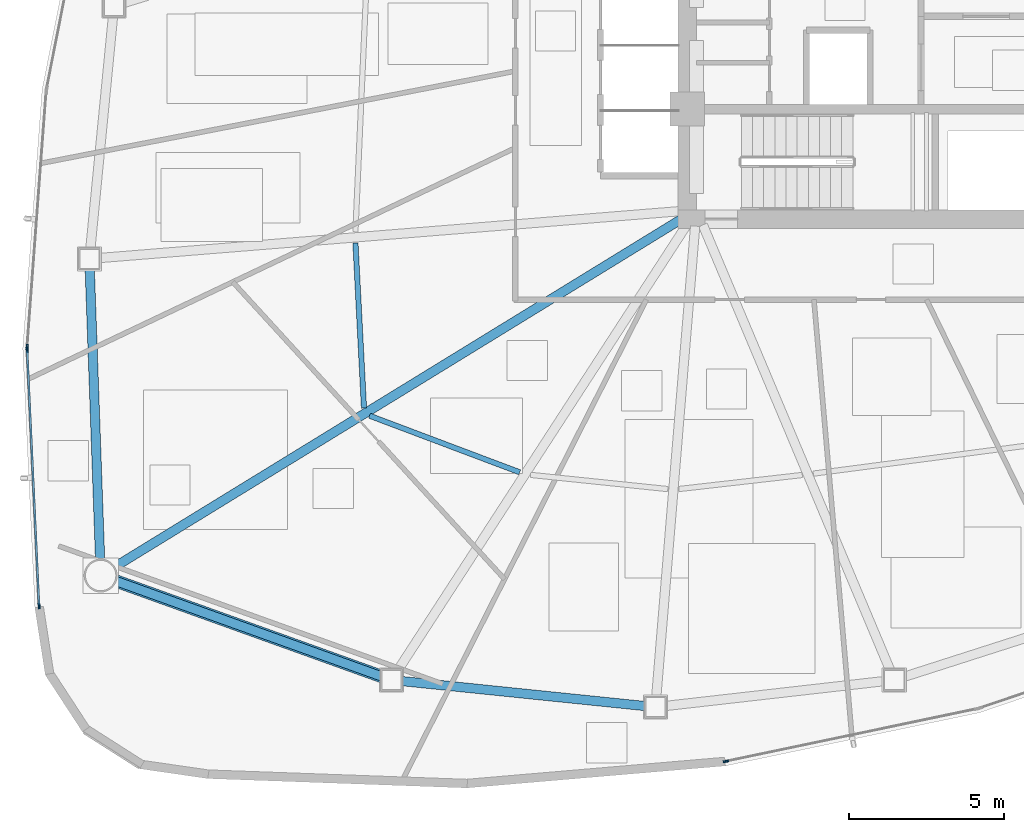
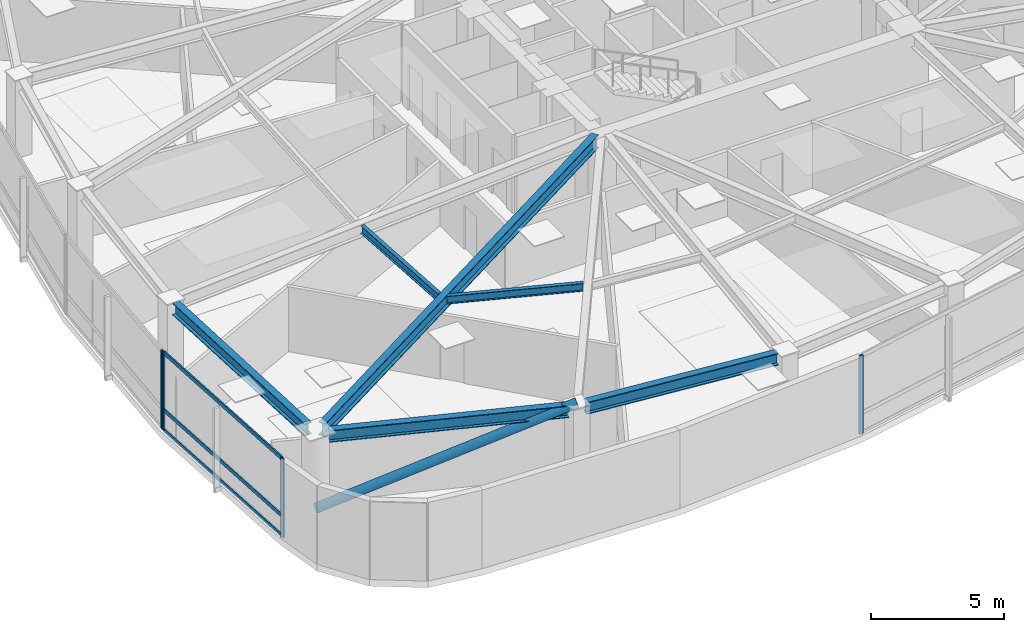
# One storey, part 2 of 17: 8 members, 6 beams, 3 elements without a shape of their own.
"""IFC4 building model written with IfcOpenShell, lengths in metres."""

from ifc_helpers import new_model, si_unit, direction, frame, origin, origin_2d, place, context, subcontext, project, spatial, hollow_rectangle, hollow_circle, i_section, extrude, source, transform, mapped, material, layer, layer_set, material_profile, profile_set, type_object, type_shapes, element, aggregate, save


model = new_model("IFC4")

# Units and contexts
model_context = context("Model", 3, precision=1e-05, world=origin(), true_north=direction((0.0, 1.0)))
body_context = subcontext(model_context, "Body", "Model", "MODEL_VIEW")
ifc_project = project(units=[si_unit("LENGTHUNIT", "METRE"), si_unit("AREAUNIT", "SQUARE_METRE"), si_unit("VOLUMEUNIT", "CUBIC_METRE"), si_unit("PLANEANGLEUNIT", "RADIAN"), si_unit("MASSUNIT", "GRAM", prefix="KILO")], contexts=[model_context])

# Site, building, storey
site_placement = place(None, origin())
site = spatial("IfcSite", under=ifc_project, at=site_placement, CompositionType="ELEMENT")
building_placement = place(site_placement, origin())
building = spatial("IfcBuilding", under=site, at=building_placement, Name="Tavelor Broadcast Tower", CompositionType="ELEMENT")
storey_placement = place(building_placement, frame((0.0, 0.0, 90.0)))
storey = spatial("IfcBuildingStorey", under=building, at=storey_placement, Name="L21", CompositionType="ELEMENT", Elevation=90.0)

# Beams
ifc_material_1 = material(Name="Steel S355", Category="steel")
ifc_material_profile_1 = material_profile(ifc_material_1, i_section(OverallWidth=0.169921875, OverallDepth=0.360107421875, WebThickness=0.008056640625, FlangeThickness=0.0126953125, at=origin_2d()), Name="IPE 360")
ifc_profile_set_1 = profile_set([ifc_material_profile_1], Name="Steel S355")
beam_type_1 = type_object("IfcBeamType", Name="Composite Floor Joist T2 IPE 360", PredefinedType="JOIST", material=ifc_profile_set_1)
beam_1_placement = place(storey_placement, frame((32.386474609375, 37.72900390625, 3.419921875), z_axis=(0.051611065527, -0.998667260861, 0.0), x_axis=(0.998667260861, 0.051611065527, 0.0)))
element("IfcBeam", 1, at=beam_1_placement, inside=storey, type_object=beam_type_1, Name="L21 Secondary Composite Floor Joist 06", PredefinedType="JOIST", context=body_context, shape_type="SweptSolid", body=[
    extrude(i_section(OverallWidth=0.169921875, OverallDepth=0.360107421875, WebThickness=0.008056640625, FlangeThickness=0.0126953125, at=origin_2d()), origin(), (0.0, 0.0, 1.0), 5.340576171875),
])
beam_2_placement = place(storey_placement, frame((32.8408203125, 32.15087890625, 3.419921875), z_axis=(0.935788002818, -0.352563205371, 0.0), x_axis=(0.352563205371, 0.935788002818, 0.0)))
element("IfcBeam", 2, at=beam_2_placement, inside=storey, type_object=beam_type_1, Name="L21 Secondary Composite Floor Joist 07", PredefinedType="JOIST", context=body_context, shape_type="SweptSolid", body=[
    extrude(i_section(OverallWidth=0.169921875, OverallDepth=0.360107421875, WebThickness=0.008056640625, FlangeThickness=0.0126953125, at=origin_2d()), origin(), (0.0, 0.0, 1.0), 5.18310546875),
])
ifc_material_profile_2 = material_profile(ifc_material_1, i_section(OverallWidth=0.300048828125, OverallDepth=0.550048828125, WebThickness=0.014892578125, FlangeThickness=0.029052734375, at=origin_2d()), Name="HEB 550")
ifc_profile_set_2 = profile_set([ifc_material_profile_2], Name="Steel S355")
beam_type_2 = type_object("IfcBeamType", Name="Perimeter Spandrel Beam T2 HEB 550", PredefinedType="SPANDREL", material=ifc_profile_set_2)
beam_3_placement = place(storey_placement, frame((23.806640625, 36.880615234375, 3.324951171875), z_axis=(0.035613586899, -0.999365635005, 0.0), x_axis=(0.999365635005, 0.035613586899, 0.0)))
element("IfcBeam", 3, at=beam_3_placement, inside=storey, type_object=beam_type_2, Name="L21 Framed-Tube Ring Spandrel 06", PredefinedType="SPANDREL", context=body_context, shape_type="SweptSolid", body=[
    extrude(i_section(OverallWidth=0.300048828125, OverallDepth=0.550048828125, WebThickness=0.014892578125, FlangeThickness=0.029052734375, at=origin_2d()), origin(), (0.0, 0.0, 1.0), 9.384765625),
])
beam_4_placement = place(storey_placement, frame((24.64111328125, 26.81640625, 3.324951171875), z_axis=(0.941105692238, -0.338112519789, 0.0), x_axis=(0.338112519789, 0.941105692238, 0.0)))
element("IfcBeam", 4, at=beam_4_placement, inside=storey, type_object=beam_type_2, Name="L21 Framed-Tube Ring Spandrel 07", PredefinedType="SPANDREL", context=body_context, shape_type="SweptSolid", body=[
    extrude(i_section(OverallWidth=0.300048828125, OverallDepth=0.550048828125, WebThickness=0.014892578125, FlangeThickness=0.029052734375, at=origin_2d()), origin(), (0.0, 0.0, 1.0), 9.13134765625),
])
beam_5_placement = place(storey_placement, frame((33.885009765625, 23.581298828125, 3.324951171875), z_axis=(0.994770407806, -0.102136358626, 0.0), x_axis=(0.102136358626, 0.994770407806, 0.0)))
element("IfcBeam", 5, at=beam_5_placement, inside=storey, type_object=beam_type_2, Name="L21 Framed-Tube Ring Spandrel 08", PredefinedType="SPANDREL", context=body_context, shape_type="SweptSolid", body=[
    extrude(i_section(OverallWidth=0.300048828125, OverallDepth=0.550048828125, WebThickness=0.014892578125, FlangeThickness=0.029052734375, at=origin_2d()), origin(), (0.0, 0.0, 1.0), 7.895263671875),
])

# Member
ifc_material_profile_3 = material_profile(ifc_material_1, hollow_circle(Radius=0.203125, WallThickness=0.02001953125, at=origin_2d()), Name="CHS 406.4x20")
ifc_profile_set_3 = profile_set([ifc_material_profile_3], Name="Steel S355")
member_type_1 = type_object("IfcMemberType", Name="Perimeter Tube Brace T2 CHS 406.4x20", PredefinedType="BRACE", material=ifc_profile_set_3)
member_1_placement = place(storey_placement, frame((24.1591796875, 26.98974609375, 0.0), z_axis=(0.885257630536, -0.318060354363, 0.339347224183), x_axis=(0.338124247145, 0.941101478849, 0.0)))
element("IfcMember", 6, at=member_1_placement, inside=storey, type_object=member_type_1, Name="L21 Corner Tube Diagonal Brace 2", PredefinedType="BRACE", context=body_context, shape_type="SweptSolid", body=[
    extrude(hollow_circle(Radius=0.203125, WallThickness=0.02001953125, at=origin_2d()), origin(), (0.0, 0.0, 1.0), 10.60888671875),
])

# Beam
ifc_material_profile_4 = material_profile(ifc_material_1, i_section(OverallWidth=0.300048828125, OverallDepth=0.60009765625, WebThickness=0.015380859375, FlangeThickness=0.030029296875, at=origin_2d()), Name="HEB 600")
ifc_profile_set_4 = profile_set([ifc_material_profile_4], Name="Steel S355")
beam_type_3 = type_object("IfcBeamType", Name="Radial Floor Girder T2 HEB 600", PredefinedType="BEAM", material=ifc_profile_set_4)
beam_6_placement = place(storey_placement, frame((42.949951171875, 38.523681640625, 3.300048828125), z_axis=(-0.852254843795, -0.52312683092, 0.0), x_axis=(0.52312683092, -0.852254843795, 0.0)))
element("IfcBeam", 7, at=beam_6_placement, inside=storey, type_object=beam_type_3, Name="L21 Radial Primary Floor Girder 07", PredefinedType="BEAM", context=body_context, shape_type="SweptSolid", body=[
    extrude(i_section(OverallWidth=0.300048828125, OverallDepth=0.60009765625, WebThickness=0.015380859375, FlangeThickness=0.030029296875, at=origin_2d()), origin(), (0.0, 0.0, 1.0), 21.5361328125),
])

# Curtain wall, member
ifc_material_2 = material(Name="Architectural Anodized Aluminium", Category="aluminium")
ifc_layer = layer(ifc_material_2, 0.179931640625)
ifc_layer_set = layer_set([ifc_layer], Name="Architectural Anodized Aluminium")
curtain_wall_type = type_object("IfcCurtainWallType", Name="Tower Low-Zone Unitised Curtain Wall CW02", PredefinedType="NOTDEFINED", material=ifc_layer_set)
curtain_wall_1_placement = place(storey_placement, origin())
curtain_wall_1 = element("IfcCurtainWall", 8, at=curtain_wall_1_placement, inside=storey, type_object=curtain_wall_type, Name="L21 Curtain Wall CW02 Run 207", PredefinedType="NOTDEFINED")
ifc_material_profile_5 = material_profile(ifc_material_2, hollow_rectangle(XDim=0.06494140625, YDim=0.179931640625, WallThickness=0.02197265625, at=origin_2d()), Name="RHS 65x180x22")
ifc_profile_set_5 = profile_set([ifc_material_profile_5], Name="Architectural Anodized Aluminium")
member_type_2 = type_object("IfcMemberType", Name="CW02 Extruded Aluminium Mullion 65x180", PredefinedType="MULLION", material=ifc_profile_set_5)
shared_shape_1 = source(origin(), body_context, "Body", "SweptSolid", [
    extrude(hollow_rectangle(XDim=0.06494140625, YDim=0.179931640625, WallThickness=0.02197265625, at=origin_2d()), origin(), (0.0, 0.0, 1.0), 3.60009765625),
])
type_shapes(member_type_2, [shared_shape_1])
member_2_placement = place(storey_placement, frame((21.784423828125, 34.370849609375, 0.0), z_axis=(0.0, 0.0, 1.0), x_axis=(0.997218918946, -0.074528032949, 0.0)))
member_2 = element("IfcMember", 9, at=member_2_placement, type_object=member_type_2, Name="CW02 mullion 2", PredefinedType="MULLION", context=body_context, shape_type="MappedRepresentation", body=[
    mapped(shared_shape_1, transform((0.0, 0.0, 0.0), scale=1.0)),
])
aggregate(curtain_wall_1, [member_2])

# Curtain wall, members
curtain_wall_2_placement = place(storey_placement, origin())
curtain_wall_2 = element("IfcCurtainWall", 10, at=curtain_wall_2_placement, inside=storey, type_object=curtain_wall_type, Name="L21 Curtain Wall CW02 Run 208", PredefinedType="NOTDEFINED")
member_3_placement = place(storey_placement, frame((21.783203125, 34.276123046875, 0.0), z_axis=(0.0, 0.0, 1.0), x_axis=(0.99890918775, 0.04669512424, 0.0)))
member_3 = element("IfcMember", 11, at=member_3_placement, type_object=member_type_2, Name="CW02 mullion 1", PredefinedType="MULLION", context=body_context, shape_type="MappedRepresentation", body=[
    mapped(shared_shape_1, transform((0.0, 0.0, 0.0), scale=1.0)),
])
member_4_placement = place(storey_placement, frame((22.169921875, 26.000244140625, 0.0), z_axis=(0.0, 0.0, 1.0), x_axis=(0.99890918775, 0.04669512424, 0.0)))
member_4 = element("IfcMember", 12, at=member_4_placement, type_object=member_type_2, Name="CW02 mullion 2", PredefinedType="MULLION", context=body_context, shape_type="MappedRepresentation", body=[
    mapped(shared_shape_1, transform((0.0, 0.0, 0.0), scale=1.0)),
])

# Curtain wall, member
curtain_wall_3_placement = place(storey_placement, origin())
curtain_wall_3 = element("IfcCurtainWall", 13, at=curtain_wall_3_placement, inside=storey, type_object=curtain_wall_type, Name="L21 Curtain Wall CW02 Run 209", PredefinedType="NOTDEFINED")
member_5_placement = place(storey_placement, frame((44.347412109375, 20.98779296875, 0.0), z_axis=(0.0, 0.0, 1.0), x_axis=(-0.204914124139, 0.978779955725, 0.0)))
member_5 = element("IfcMember", 14, at=member_5_placement, type_object=member_type_2, Name="CW02 mullion 1", PredefinedType="MULLION", context=body_context, shape_type="MappedRepresentation", body=[
    mapped(shared_shape_1, transform((0.0, 0.0, 0.0), scale=1.0)),
])
aggregate(curtain_wall_3, [member_5])

# Member
ifc_material_profile_6 = material_profile(ifc_material_2, hollow_rectangle(XDim=0.06494140625, YDim=0.179931640625, WallThickness=0.02197265625, at=origin_2d()), Name="RHS 65x180x22")
ifc_profile_set_6 = profile_set([ifc_material_profile_6], Name="Architectural Anodized Aluminium")
member_type_3 = type_object("IfcMemberType", Name="CW02 Extruded Aluminium Transom 65x180", PredefinedType="USERDEFINED", material=ifc_profile_set_6)
shared_shape_2 = source(origin(), body_context, "Body", "SweptSolid", [
    extrude(hollow_rectangle(XDim=0.06494140625, YDim=0.179931640625, WallThickness=0.02197265625, at=origin_2d()), origin(), (0.0, 0.0, 1.0), 8.219970703125),
])
type_shapes(member_type_3, [shared_shape_2])
member_6_placement = place(storey_placement, frame((21.78466796875, 34.24365234375, 0.032470703125), z_axis=(0.046690223693, -0.99890941682, 0.0), x_axis=(0.99890941682, 0.046690223693, 0.0)))
member_6 = element("IfcMember", 15, at=member_6_placement, type_object=member_type_3, Name="CW02 transom 1.1", ObjectType="TRANSOM", PredefinedType="USERDEFINED", context=body_context, shape_type="MappedRepresentation", body=[
    mapped(shared_shape_2, transform((0.0, 0.0, 0.0), scale=1.0)),
])

member_7_placement = place(storey_placement, frame((21.78466796875, 34.24365234375, 0.949951171875), z_axis=(0.046690223693, -0.99890941682, 0.0), x_axis=(0.99890941682, 0.046690223693, 0.0)))
member_7 = element("IfcMember", 16, at=member_7_placement, type_object=member_type_3, Name="CW02 transom 1.2", ObjectType="TRANSOM", PredefinedType="USERDEFINED", context=body_context, shape_type="MappedRepresentation", body=[
    mapped(shared_shape_2, transform((0.0, 0.0, 0.0), scale=1.0)),
])

member_8_placement = place(storey_placement, frame((21.78466796875, 34.24365234375, 3.5673828125), z_axis=(0.046690223693, -0.99890941682, 0.0), x_axis=(0.99890941682, 0.046690223693, 0.0)))
member_8 = element("IfcMember", 17, at=member_8_placement, type_object=member_type_3, Name="CW02 transom 1.3", ObjectType="TRANSOM", PredefinedType="USERDEFINED", context=body_context, shape_type="MappedRepresentation", body=[
    mapped(shared_shape_2, transform((0.0, 0.0, 0.0), scale=1.0)),
])

aggregate(curtain_wall_2, [member_3, member_4, member_6, member_7, member_8])

save(model, "model.ifc")
